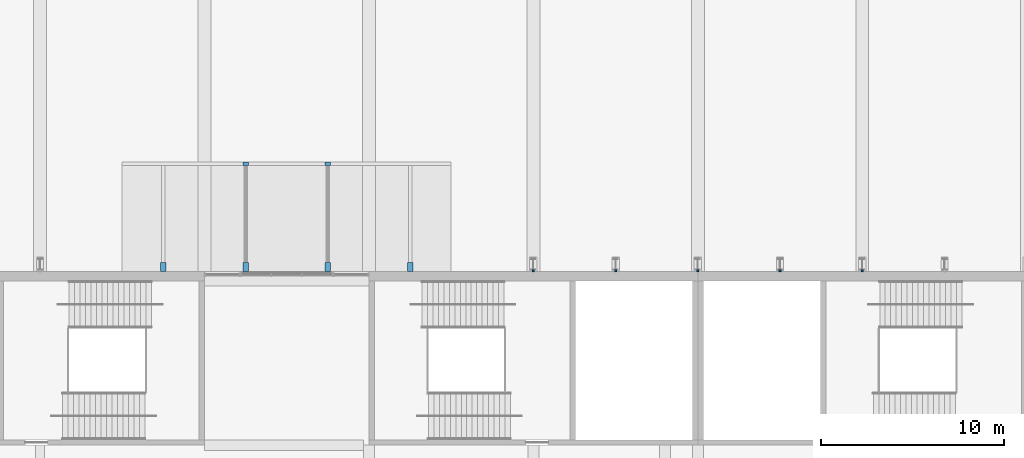
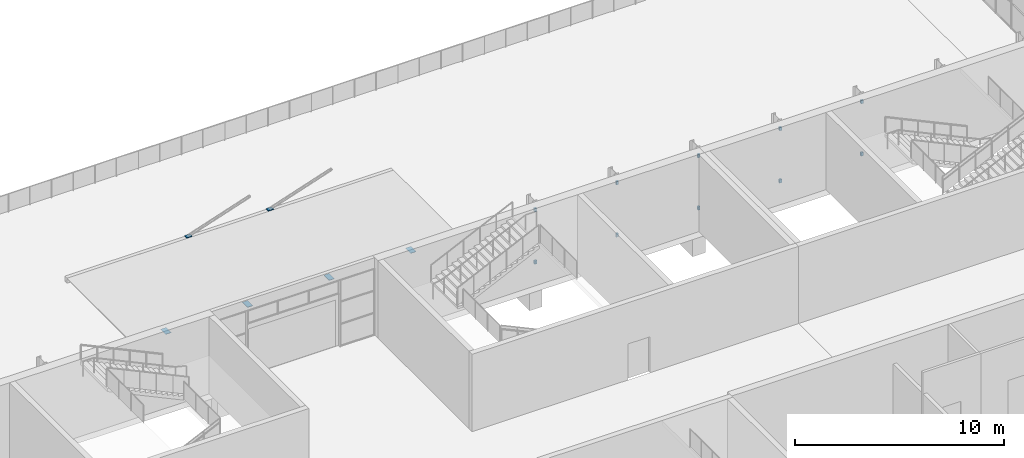
# One storey, part 132 of 168: 16 discrete accessories.
"""IFC4 building model written with IfcOpenShell, lengths in metres."""

from ifc_helpers import new_model, si_unit, direction, frame, origin, origin_2d, place, context, subcontext, project, spatial, rectangle, extrude, material, type_object, element, save


model = new_model("IFC4")

# Units and contexts
model_context = context("Model", 3, precision=1e-05, world=origin(), true_north=direction((0.0, 1.0)))
body_context = subcontext(model_context, "Body", "Model", "MODEL_VIEW")
ifc_project = project(units=[si_unit("LENGTHUNIT", "METRE"), si_unit("AREAUNIT", "SQUARE_METRE"), si_unit("VOLUMEUNIT", "CUBIC_METRE"), si_unit("PLANEANGLEUNIT", "RADIAN"), si_unit("MASSUNIT", "GRAM", prefix="KILO")], contexts=[model_context])

# Site, building, storey
site_placement = place(None, origin())
site = spatial("IfcSite", under=ifc_project, at=site_placement, CompositionType="ELEMENT")
building_placement = place(site_placement, origin())
building = spatial("IfcBuilding", under=site, at=building_placement, Name="Silverbay Arena", CompositionType="ELEMENT")
storey_placement = place(building_placement, frame((0.0, 0.0, 7.0)))
storey = spatial("IfcBuildingStorey", under=building, at=storey_placement, Name="L01", CompositionType="ELEMENT", Elevation=7.0)

# Discrete accessories
ifc_material = material(Name="Steel S355", Category="steel")
discrete_accessory_type = type_object("IfcDiscreteAccessoryType", Name="Steel bracket plate", PredefinedType="BRACKET", material=ifc_material)
for number, where, z_axis, x_axis, name in (
    (1, (69.75, 144.75, 3.8798828125), (0.0, 0.0, 1.0), (1.0, 0.0, 0.0), "Marquee root cleat plate"),
    (2, (74.25, 144.75, 3.8798828125), (0.0, 0.0, 1.0), (1.0, 0.0, 0.0), "Marquee root cleat plate"),
    (3, (78.75, 144.75, 3.8798828125), (0.0, 0.0, 1.0), (1.0, 0.0, 0.0), "Marquee root cleat plate"),
    (4, (83.25, 144.75, 3.8798828125), (0.0, 0.0, 1.0), (1.0, 0.0, 0.0), "Marquee root cleat plate"),
):
    element("IfcDiscreteAccessory", number, at=place(storey_placement, frame(where, z_axis=z_axis, x_axis=x_axis)), inside=storey, type_object=discrete_accessory_type, Name=name, PredefinedType="BRACKET", context=body_context, shape_type="SweptSolid", body=[
        extrude(rectangle(XDim=0.300048828125, YDim=0.5, at=origin_2d()), origin(), (0.0, 0.0, 1.0), 0.02001953125),
    ])
for number, where, z_axis, x_axis, name in (
    (5, (74.25, 150.39990234375, 4.3935546875), (0.0, 0.0, 1.0), (1.0, 0.0, 0.0), "Marquee tie lug plate"),
    (6, (78.75, 150.39990234375, 4.3935546875), (0.0, 0.0, 1.0), (1.0, 0.0, 0.0), "Marquee tie lug plate"),
):
    element("IfcDiscreteAccessory", number, at=place(storey_placement, frame(where, z_axis=z_axis, x_axis=x_axis)), inside=storey, type_object=discrete_accessory_type, Name=name, PredefinedType="BRACKET", context=body_context, shape_type="SweptSolid", body=[
        extrude(rectangle(XDim=0.300048828125, YDim=0.199951171875, at=origin_2d()), origin(), (0.0, 0.0, 1.0), 0.050048828125),
    ])
for number, where, z_axis, x_axis, name in (
    (7, (90.0, 144.550048828125, 0.85009765625), (0.0, 0.0, 1.0), (1.0, 0.0, 0.0), "Fin bracket"),
    (8, (90.0, 144.550048828125, 3.89990234375), (0.0, 0.0, 1.0), (1.0, 0.0, 0.0), "Fin bracket"),
    (9, (94.5, 144.550048828125, 0.85009765625), (0.0, 0.0, 1.0), (1.0, 0.0, 0.0), "Fin bracket"),
    (10, (94.5, 144.550048828125, 3.89990234375), (0.0, 0.0, 1.0), (1.0, 0.0, 0.0), "Fin bracket"),
    (11, (99.0, 144.550048828125, 0.85009765625), (0.0, 0.0, 1.0), (1.0, 0.0, 0.0), "Fin bracket"),
    (12, (99.0, 144.550048828125, 3.89990234375), (0.0, 0.0, 1.0), (1.0, 0.0, 0.0), "Fin bracket"),
    (13, (103.5, 144.550048828125, 0.85009765625), (0.0, 0.0, 1.0), (1.0, 0.0, 0.0), "Fin bracket"),
    (14, (103.5, 144.550048828125, 3.89990234375), (0.0, 0.0, 1.0), (1.0, 0.0, 0.0), "Fin bracket"),
    (15, (108.0, 144.550048828125, 0.85009765625), (0.0, 0.0, 1.0), (1.0, 0.0, 0.0), "Fin bracket"),
    (16, (108.0, 144.550048828125, 3.89990234375), (0.0, 0.0, 1.0), (1.0, 0.0, 0.0), "Fin bracket"),
):
    element("IfcDiscreteAccessory", number, at=place(storey_placement, frame(where, z_axis=z_axis, x_axis=x_axis)), inside=storey, type_object=discrete_accessory_type, Name=name, PredefinedType="BRACKET", context=body_context, shape_type="SweptSolid", body=[
        extrude(rectangle(XDim=0.1201171875, YDim=0.10009765625, at=origin_2d()), origin(), (0.0, 0.0, 1.0), 0.199951171875),
    ])

save(model, "model.ifc")
